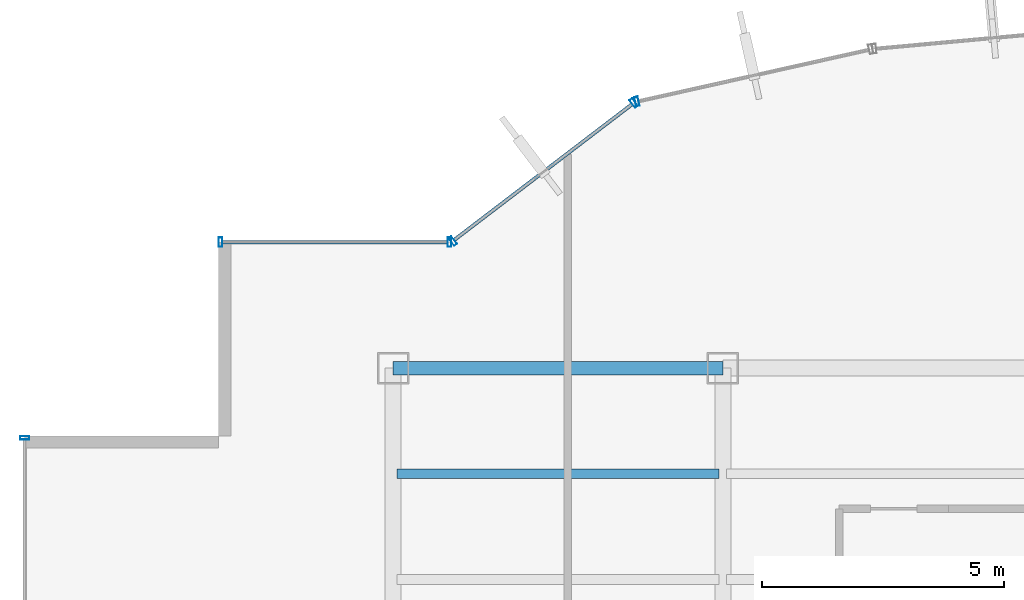
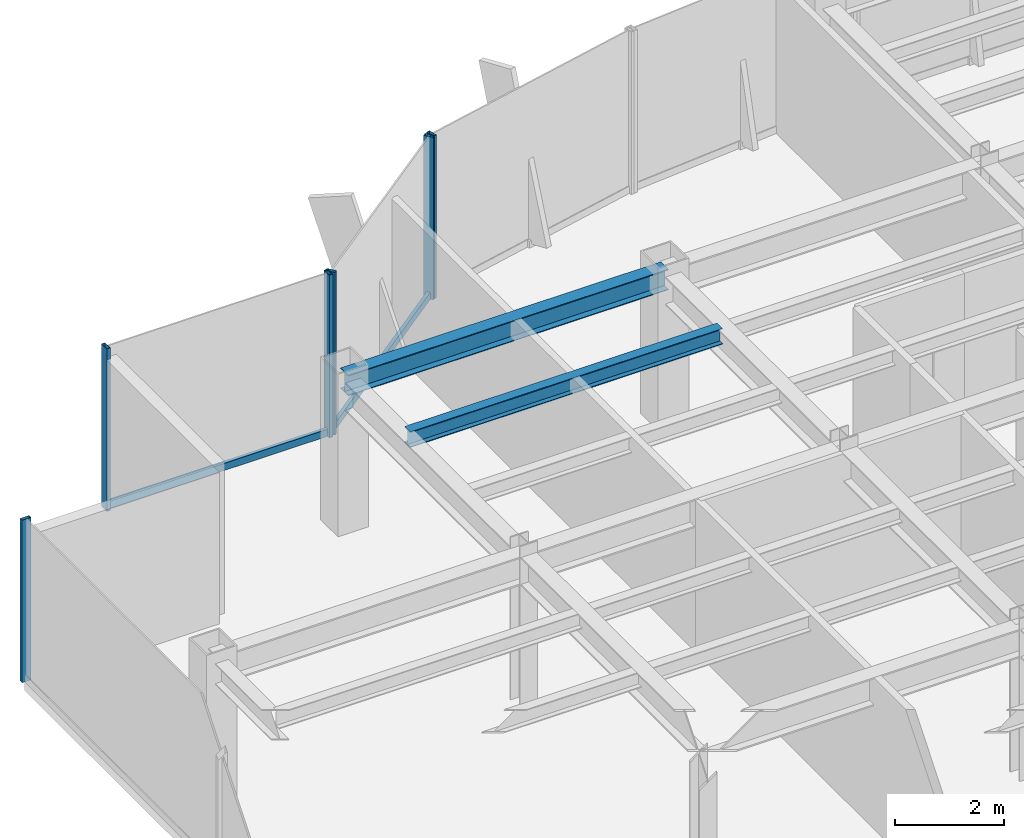
# One storey, part 14 of 25: 8 members, 2 beams, 4 elements without a shape of their own.
"""IFC4 building model written with IfcOpenShell, lengths in metres."""

import ifcopenshell
import ifcopenshell.guid

model = None  # the IFC model being written
_history = None  # IfcOwnerHistory: only IFC2X3 demands one
_inside = {}  # id of a spatial element -> (the spatial element, [elements in it])
_under = {}  # id of a project, library or spatial element -> (it, [spatial elements below it])
_declared = {}  # id of a project -> (the project, [libraries it declares])
_typed = {}  # id of a type object -> (the type object, [elements of that type])
_made_of = {}  # id of a material, layer set ... -> (it, [elements and type objects made of it])


def new_model(schema):
    """Start an empty IFC model of exactly this schema.

    Asked for "IFC4X3", IfcOpenShell would pick the latest addendum, in which some entities
    have other attributes; the version numbers below select the first issue.
    IFC2X3 requires an IfcOwnerHistory on every rooted entity: one is made here for all.
    """
    global model, _history
    if schema == "IFC4X3":
        model = ifcopenshell.file(schema_version=(4, 3, 0, 0))
    else:
        model = ifcopenshell.file(schema=schema)
    _inside.clear()
    _under.clear()
    _declared.clear()
    _typed.clear()
    _made_of.clear()
    _history = None
    if model.schema == "IFC2X3":
        org = make("IfcOrganization", Name="unknown")
        user = make(
            "IfcPersonAndOrganization",
            ThePerson=make("IfcPerson", FamilyName="unknown"),
            TheOrganization=org,
        )
        app = make(
            "IfcApplication",
            ApplicationDeveloper=org,
            Version="unknown",
            ApplicationFullName="unknown",
            ApplicationIdentifier="unknown",
        )
        _history = make(
            "IfcOwnerHistory",
            OwningUser=user,
            OwningApplication=app,
            ChangeAction="ADDED",
            CreationDate=0,
        )
    return model


def make(cls, **values):
    """One entity of the class cls with the attributes given. An attribute that is None is left unset."""
    return model.create_entity(
        cls, **{name: value for name, value in values.items() if value is not None}
    )


def rooted(cls, **values):
    """An entity with a GlobalId (a new one), such as an element, a storey or a relation."""
    return make(cls, GlobalId=ifcopenshell.guid.new(), OwnerHistory=_history, **values)


def si_unit(unit_type, name, prefix=None):
    """IfcSIUnit, for example si_unit("LENGTHUNIT", "METRE", prefix="MILLI")."""
    return make("IfcSIUnit", UnitType=unit_type, Prefix=prefix, Name=name)


def derived_unit(unit_type, elements):
    """IfcDerivedUnit: a product of units, each with its exponent."""
    return make(
        "IfcDerivedUnit",
        Elements=[
            make("IfcDerivedUnitElement", Unit=unit, Exponent=power)
            for unit, power in elements
        ],
        UnitType=unit_type,
    )


def assignment(units):
    """IfcUnitAssignment: the units of a project."""
    return None if units is None else make("IfcUnitAssignment", Units=units)


def point(xyz):
    """IfcCartesianPoint."""
    return None if xyz is None else make("IfcCartesianPoint", Coordinates=xyz)


def direction(xyz):
    """IfcDirection."""
    return None if xyz is None else make("IfcDirection", DirectionRatios=xyz)


def frame(location, z_axis=None, x_axis=None):
    """IfcAxis2Placement3D, a coordinate frame: its origin and axes. An axis left out is left unset."""
    return make(
        "IfcAxis2Placement3D",
        Location=point(location),
        Axis=direction(z_axis),
        RefDirection=direction(x_axis),
    )


def frame_2d(location, x_axis=None):
    """IfcAxis2Placement2D, a coordinate frame in the plane: its origin and x axis."""
    return make(
        "IfcAxis2Placement2D", Location=point(location), RefDirection=direction(x_axis)
    )


def origin():
    """The frame at (0, 0, 0) with its axes left unset."""
    return frame((0.0, 0.0, 0.0))


def origin_2d():
    """The frame at (0, 0) in the plane with its x axis left unset."""
    return frame_2d((0.0, 0.0))


def place(relative_to, where):
    """IfcLocalPlacement: puts the frame where relative to a parent placement (None: the world)."""
    return make(
        "IfcLocalPlacement", PlacementRelTo=relative_to, RelativePlacement=where
    )


def context(
    kind, dimensions, precision=None, world=None, true_north=None, identifier=None
):
    """IfcGeometricRepresentationContext, for example the 3D "Model" context."""
    return make(
        "IfcGeometricRepresentationContext",
        ContextIdentifier=identifier,
        ContextType=kind,
        CoordinateSpaceDimension=dimensions,
        Precision=precision,
        WorldCoordinateSystem=world,
        TrueNorth=true_north,
    )


def subcontext(parent, identifier, kind, view, scale=None):
    """IfcGeometricRepresentationSubContext, for example "Body" below "Model"."""
    return make(
        "IfcGeometricRepresentationSubContext",
        ContextIdentifier=identifier,
        ContextType=kind,
        ParentContext=parent,
        TargetScale=scale,
        TargetView=view,
    )


def project(units=None, contexts=None):
    """IfcProject with its units and contexts."""
    return rooted(
        "IfcProject",
        Name="project",
        RepresentationContexts=contexts,
        UnitsInContext=assignment(units),
    )


def spatial(cls, under=None, at=None, **own):
    """A site, building, storey or space (cls), placed at a placement, below another one or the project."""
    s = rooted(cls, ObjectPlacement=at, **own)
    if under is not None:
        _under.setdefault(under.id(), (under, []))[1].append(s)
    return s


def profile(cls, at=None, kind="AREA", **sizes):
    """A parametric profile (cls). Its sizes go by their IFC names, for example OverallWidth=200.0."""
    return make(cls, ProfileType=kind, Position=at, **sizes)


def hollow_rectangle(**sizes):
    """IfcRectangleHollowProfileDef."""
    return profile("IfcRectangleHollowProfileDef", **sizes)


def i_section(**sizes):
    """IfcIShapeProfileDef."""
    return profile("IfcIShapeProfileDef", **sizes)


def extrude(swept, where, along, depth):
    """IfcExtrudedAreaSolid: the profile swept, set in the frame where, extruded along a direction by depth."""
    return make(
        "IfcExtrudedAreaSolid",
        SweptArea=swept,
        Position=where,
        ExtrudedDirection=direction(along),
        Depth=depth,
    )


def shape(context_of_items, identifier, shape_type, items):
    """IfcShapeRepresentation: the items that make up one representation, for example the "Body"."""
    return make(
        "IfcShapeRepresentation",
        ContextOfItems=context_of_items,
        RepresentationIdentifier=identifier,
        RepresentationType=shape_type,
        Items=items,
    )


def source(mapping_origin, context_of_items, identifier, shape_type, items):
    """IfcRepresentationMap: a shape defined once, which mapped items show again and again."""
    return make(
        "IfcRepresentationMap",
        MappingOrigin=mapping_origin,
        MappedRepresentation=shape(context_of_items, identifier, shape_type, items),
    )


def transform(
    local_origin,
    x_axis=None,
    y_axis=None,
    z_axis=None,
    scale=None,
    scale2=None,
    scale3=None,
    uniform=True,
):
    """IfcCartesianTransformationOperator3D, or its non-uniform kind. x_axis, y_axis, z_axis: its Axis1, 2, 3."""
    if uniform:
        return make(
            "IfcCartesianTransformationOperator3D",
            Axis1=direction(x_axis),
            Axis2=direction(y_axis),
            LocalOrigin=point(local_origin),
            Scale=scale,
            Axis3=direction(z_axis),
        )
    return make(
        "IfcCartesianTransformationOperator3DnonUniform",
        Axis1=direction(x_axis),
        Axis2=direction(y_axis),
        LocalOrigin=point(local_origin),
        Scale=scale,
        Axis3=direction(z_axis),
        Scale2=scale2,
        Scale3=scale3,
    )


def mapped(mapping_source, mapping_target):
    """IfcMappedItem: shows the shape of a source again, moved by a transform."""
    return make(
        "IfcMappedItem", MappingSource=mapping_source, MappingTarget=mapping_target
    )


def material(Name=None, Category=None):
    """IfcMaterial."""
    return make("IfcMaterial", Name=Name, Category=Category)


def material_profile(
    of_material, cross_section, Name=None, Category=None, Priority=None
):
    """IfcMaterialProfile: a cross section and its material."""
    return make(
        "IfcMaterialProfile",
        Name=Name,
        Material=of_material,
        Profile=cross_section,
        Priority=Priority,
        Category=Category,
    )


def profile_set(profiles, Name=None, composite=None):
    """IfcMaterialProfileSet."""
    return make(
        "IfcMaterialProfileSet",
        Name=Name,
        MaterialProfiles=profiles,
        CompositeProfile=composite,
    )


def made_of(thing, what):
    """Note that an element or type object is made of a material, layer set ...; save() writes the relation."""
    if what is not None:
        _made_of.setdefault(what.id(), (what, []))[1].append(thing)
    return thing


def type_object(cls, material=None, **own):
    """A type object (cls), such as IfcWallType, which elements share."""
    return made_of(rooted(cls, **own), material)


def element(
    cls,
    number,
    at=None,
    inside=None,
    cuts=None,
    type_object=None,
    material=None,
    context=None,
    identifier="Body",
    shape_type=None,
    held_by="IfcProductDefinitionShape",
    body=None,
    shapes=None,
    **own,
):
    """One element of the class cls, such as IfcWall. Its Tag is "e" and its number.

    at: its placement. inside: the storey or other place that contains it. cuts: it is an
    opening in that element (IfcRelVoidsElement). A single representation is given by context,
    identifier, shape_type and body (its items); several are given by shapes. held_by: the class
    of the entity that holds the representations. save() writes the other relations.
    """
    e = rooted(cls, Tag="e%d" % number, ObjectPlacement=at, **own)
    if body is not None:
        shapes = [shape(context, identifier, shape_type, body)]
    if shapes is not None:
        e.Representation = make(held_by, Representations=shapes)
    if inside is not None:
        _inside.setdefault(inside.id(), (inside, []))[1].append(e)
    if cuts is not None:
        rooted(
            "IfcRelVoidsElement", RelatingBuildingElement=cuts, RelatedOpeningElement=e
        )
    if type_object is not None:
        _typed.setdefault(type_object.id(), (type_object, []))[1].append(e)
    return made_of(e, material)


def aggregate(whole, parts):
    """IfcRelAggregates: a whole, such as a stair, and the parts it consists of."""
    return rooted("IfcRelAggregates", RelatingObject=whole, RelatedObjects=parts)


def save(model, path):
    """Write the relations noted so far, then the file.

    IfcRelAggregates (storeys below a building ...), IfcRelContainedInSpatialStructure (elements
    in a storey), IfcRelDefinesByType, IfcRelAssociatesMaterial and IfcRelDeclares: one each for
    every whole, place, type object, material and project.
    """
    for whole, parts in _under.values():
        aggregate(whole, parts)
    for where, things in _inside.values():
        rooted(
            "IfcRelContainedInSpatialStructure",
            RelatedElements=things,
            RelatingStructure=where,
        )
    for kind, things in _typed.values():
        rooted("IfcRelDefinesByType", RelatedObjects=things, RelatingType=kind)
    for what, things in _made_of.values():
        rooted("IfcRelAssociatesMaterial", RelatedObjects=things, RelatingMaterial=what)
    for by, libraries in _declared.values():
        rooted("IfcRelDeclares", RelatingContext=by, RelatedDefinitions=libraries)
    model.write(path)


model = new_model("IFC4")

# Units and contexts
model_context = context("Model", 3, precision=1e-05, world=origin(), true_north=direction((0.0, 1.0)))
body_context = subcontext(model_context, "Body", "Model", "MODEL_VIEW")
ifc_project = project(units=[si_unit("LENGTHUNIT", "METRE"), si_unit("AREAUNIT", "SQUARE_METRE"), si_unit("VOLUMEUNIT", "CUBIC_METRE"), si_unit("PLANEANGLEUNIT", "RADIAN"), si_unit("MASSUNIT", "GRAM", prefix="KILO"), derived_unit("THERMALTRANSMITTANCEUNIT", [(si_unit("POWERUNIT", "WATT"), 1), (si_unit("LENGTHUNIT", "METRE"), -2), (si_unit("THERMODYNAMICTEMPERATUREUNIT", "KELVIN"), -1)])], contexts=[model_context])

# Site, building, storey
site_placement = place(None, origin())
site = spatial("IfcSite", under=ifc_project, at=site_placement, CompositionType="ELEMENT")
building_placement = place(site_placement, origin())
building = spatial("IfcBuilding", under=site, at=building_placement, Name="Skarnbrae Concourse Arena and Tower", CompositionType="ELEMENT")
storey_placement = place(building_placement, frame((0.0, 0.0, 144.25)))
storey = spatial("IfcBuildingStorey", under=building, at=storey_placement, Name="L36", CompositionType="ELEMENT", Elevation=144.25)

# Beams
ifc_material_1 = material(Name="Steel CSA G40.21 350W", Category="steel")
ifc_material_profile_1 = material_profile(ifc_material_1, i_section(OverallWidth=0.280029296875, OverallDepth=0.462890625, WebThickness=0.0107421875, FlangeThickness=0.017333984375, at=origin_2d()), Name="W460X113")
ifc_profile_set_1 = profile_set([ifc_material_profile_1], Name="Steel CSA G40.21 350W")
beam_type_1 = type_object("IfcBeamType", Name="BM-SPAN-W460X113", PredefinedType="SPANDREL", material=ifc_profile_set_1)
shared_shape_1 = source(origin(), body_context, "Body", "SweptSolid", [
    extrude(i_section(OverallWidth=0.280029296875, OverallDepth=0.462890625, WebThickness=0.0107421875, FlangeThickness=0.017333984375, at=origin_2d()), origin(), (0.0, 0.0, 1.0), 6.7998046875),
])
beam_1_placement = place(storey_placement, frame((7.60009765625, 34.39990234375, 3.16845703125), z_axis=(1.0, 0.0, 0.0), x_axis=(0.0, 1.0, 0.0)))
element("IfcBeam", 1, at=beam_1_placement, inside=storey, type_object=beam_type_1, Name="L36 Perimeter spandrel Y34.4-1", PredefinedType="SPANDREL", context=body_context, shape_type="MappedRepresentation", body=[
    mapped(shared_shape_1, transform((0.0, 0.0, 0.0))),
])
ifc_material_profile_2 = material_profile(ifc_material_1, i_section(OverallWidth=0.205078125, OverallDepth=0.35400390625, WebThickness=0.009521484375, FlangeThickness=0.016845703125, at=origin_2d()), Name="W360X79")
ifc_profile_set_2 = profile_set([ifc_material_profile_2], Name="Steel CSA G40.21 350W")
beam_type_2 = type_object("IfcBeamType", Name="BM-JOIST-W360X79", PredefinedType="JOIST", material=ifc_profile_set_2)
shared_shape_2 = source(origin(), body_context, "Body", "SweptSolid", [
    extrude(i_section(OverallWidth=0.205078125, OverallDepth=0.35400390625, WebThickness=0.009521484375, FlangeThickness=0.016845703125, at=origin_2d()), origin(), (0.0, 0.0, 1.0), 6.64013671875),
])
beam_2_placement = place(storey_placement, frame((7.679931640625, 32.221923828125, 3.222900390625), z_axis=(1.0, 0.0, 0.0), x_axis=(0.0, 1.0, 0.0)))
element("IfcBeam", 2, at=beam_2_placement, inside=storey, type_object=beam_type_2, Name="L36 Secondary floor joist 3.2.1", PredefinedType="JOIST", context=body_context, shape_type="MappedRepresentation", body=[
    mapped(shared_shape_2, transform((0.0, 0.0, 0.0))),
])

# Curtain wall, member
ifc_material_2 = material(Name="Bronze anodised aluminium 6063-T6", Category="aluminium")
curtain_wall_type = type_object("IfcCurtainWallType", Name="CW-SYS-04-MIDZONE", PredefinedType="USERDEFINED", material=ifc_material_2)
curtain_wall_1_placement = place(storey_placement, origin())
curtain_wall_1 = element("IfcCurtainWall", 3, at=curtain_wall_1_placement, inside=storey, type_object=curtain_wall_type, Name="L36 Unitised curtain wall CW-L36-E13", ObjectType="UNITISED CURTAIN WALL", PredefinedType="USERDEFINED")
ifc_material_profile_3 = material_profile(ifc_material_2, hollow_rectangle(XDim=0.074951171875, YDim=0.195068359375, WallThickness=0.00439453125, at=origin_2d()), Name="ALU-MULL-75X195")
ifc_profile_set_3 = profile_set([ifc_material_profile_3], Name="Bronze anodised aluminium 6063-T6")
member_type_1 = type_object("IfcMemberType", Name="CWM-CW-04", PredefinedType="MULLION", material=ifc_profile_set_3)
shared_shape_3 = source(origin(), body_context, "Body", "SweptSolid", [
    extrude(hollow_rectangle(XDim=0.074951171875, YDim=0.195068359375, WallThickness=0.00439453125, at=origin_2d()), origin(), (0.0, 0.0, 1.0), 3.64990234375),
])
member_1_placement = place(storey_placement, frame((12.627197265625, 39.90087890625, 0.0), z_axis=(0.0, 0.0, 1.0), x_axis=(-0.975936175393, -0.218056372433, 0.0)))
member_1 = element("IfcMember", 4, at=member_1_placement, type_object=member_type_1, Name="CW-L36-E13 Mullion 2", PredefinedType="MULLION", context=body_context, shape_type="MappedRepresentation", body=[
    mapped(shared_shape_3, transform((0.0, 0.0, 0.0))),
])
aggregate(curtain_wall_1, [member_1])

# Curtain wall, members
curtain_wall_2_placement = place(storey_placement, origin())
curtain_wall_2 = element("IfcCurtainWall", 5, at=curtain_wall_2_placement, inside=storey, type_object=curtain_wall_type, Name="L36 Unitised curtain wall CW-L36-E14", ObjectType="UNITISED CURTAIN WALL", PredefinedType="USERDEFINED")
member_2_placement = place(storey_placement, frame((12.560791015625, 39.869873046875, 0.0), z_axis=(0.0, 0.0, 1.0), x_axis=(-0.794956000706, -0.606667089054, 0.0)))
member_2 = element("IfcMember", 6, at=member_2_placement, type_object=member_type_1, Name="CW-L36-E14 Mullion 1", PredefinedType="MULLION", context=body_context, shape_type="MappedRepresentation", body=[
    mapped(shared_shape_3, transform((0.0, 0.0, 0.0))),
])
member_3_placement = place(storey_placement, frame((8.829833984375, 37.022705078125, 0.0), z_axis=(0.0, 0.0, 1.0), x_axis=(-0.794956000706, -0.606667089054, 0.0)))
member_3 = element("IfcMember", 7, at=member_3_placement, type_object=member_type_1, Name="CW-L36-E14 Mullion 2", PredefinedType="MULLION", context=body_context, shape_type="MappedRepresentation", body=[
    mapped(shared_shape_3, transform((0.0, 0.0, 0.0))),
])

curtain_wall_3_placement = place(storey_placement, origin())
curtain_wall_3 = element("IfcCurtainWall", 8, at=curtain_wall_3_placement, inside=storey, type_object=curtain_wall_type, Name="L36 Unitised curtain wall CW-L36-E15", ObjectType="UNITISED CURTAIN WALL", PredefinedType="USERDEFINED")
member_4_placement = place(storey_placement, frame((8.762451171875, 37.0, 0.0), z_axis=(0.0, 0.0, 1.0), x_axis=(-1.0, 0.0, 0.0)))
member_4 = element("IfcMember", 9, at=member_4_placement, type_object=member_type_1, Name="CW-L36-E15 Mullion 1", PredefinedType="MULLION", context=body_context, shape_type="MappedRepresentation", body=[
    mapped(shared_shape_3, transform((0.0, 0.0, 0.0))),
])
member_5_placement = place(storey_placement, frame((4.03759765625, 37.0, 0.0), z_axis=(0.0, 0.0, 1.0), x_axis=(-1.0, 0.0, 0.0)))
member_5 = element("IfcMember", 10, at=member_5_placement, type_object=member_type_1, Name="CW-L36-E15 Mullion 2", PredefinedType="MULLION", context=body_context, shape_type="MappedRepresentation", body=[
    mapped(shared_shape_3, transform((0.0, 0.0, 0.0))),
])

# Curtain wall, member
curtain_wall_4_placement = place(storey_placement, origin())
curtain_wall_4 = element("IfcCurtainWall", 11, at=curtain_wall_4_placement, inside=storey, type_object=curtain_wall_type, Name="L36 Unitised curtain wall CW-L36-E18", ObjectType="UNITISED CURTAIN WALL", PredefinedType="USERDEFINED")
member_6_placement = place(storey_placement, frame((0.0, 32.96240234375, 0.0), z_axis=(0.0, 0.0, 1.0), x_axis=(0.0, -1.0, 0.0)))
member_6 = element("IfcMember", 12, at=member_6_placement, type_object=member_type_1, Name="CW-L36-E18 Mullion 1", PredefinedType="MULLION", context=body_context, shape_type="MappedRepresentation", body=[
    mapped(shared_shape_3, transform((0.0, 0.0, 0.0))),
])
aggregate(curtain_wall_4, [member_6])

# Member
ifc_material_profile_4 = material_profile(ifc_material_2, hollow_rectangle(XDim=0.074951171875, YDim=0.159912109375, WallThickness=0.00439453125, at=origin_2d()), Name="ALU-TRAN-75X160")
ifc_profile_set_4 = profile_set([ifc_material_profile_4], Name="Bronze anodised aluminium 6063-T6")
member_type_2 = type_object("IfcMemberType", Name="CWT-CW-04", PredefinedType="USERDEFINED", material=ifc_profile_set_4)
shared_shape_4 = source(origin(), body_context, "Body", "SweptSolid", [
    extrude(hollow_rectangle(XDim=0.074951171875, YDim=0.159912109375, WallThickness=0.00439453125, at=origin_2d()), origin(), (0.0, 0.0, 1.0), 4.650146484375),
])
member_7_placement = place(storey_placement, frame((8.72509765625, 37.0, 0.080078125), z_axis=(-1.0, 0.0, 0.0), x_axis=(0.0, -1.0, 0.0)))
member_7 = element("IfcMember", 13, at=member_7_placement, type_object=member_type_2, Name="CW-L36-E15 Transom 1", ObjectType="TRANSOM", PredefinedType="USERDEFINED", context=body_context, shape_type="MappedRepresentation", body=[
    mapped(shared_shape_4, transform((0.0, 0.0, 0.0))),
])

aggregate(curtain_wall_3, [member_4, member_5, member_7])

shared_shape_5 = source(origin(), body_context, "Body", "SweptSolid", [
    extrude(hollow_rectangle(XDim=0.074951171875, YDim=0.159912109375, WallThickness=0.00439453125, at=origin_2d()), origin(), (0.0, 0.0, 1.0), 4.618408203125),
])
member_8_placement = place(storey_placement, frame((12.531005859375, 39.84716796875, 0.080078125), z_axis=(-0.794960638756, -0.606661011462, 0.0), x_axis=(0.606661011462, -0.794960638756, 0.0)))
member_8 = element("IfcMember", 14, at=member_8_placement, type_object=member_type_2, Name="CW-L36-E14 Transom 1", ObjectType="TRANSOM", PredefinedType="USERDEFINED", context=body_context, shape_type="MappedRepresentation", body=[
    mapped(shared_shape_5, transform((0.0, 0.0, 0.0))),
])

aggregate(curtain_wall_2, [member_2, member_3, member_8])

save(model, "model.ifc")
